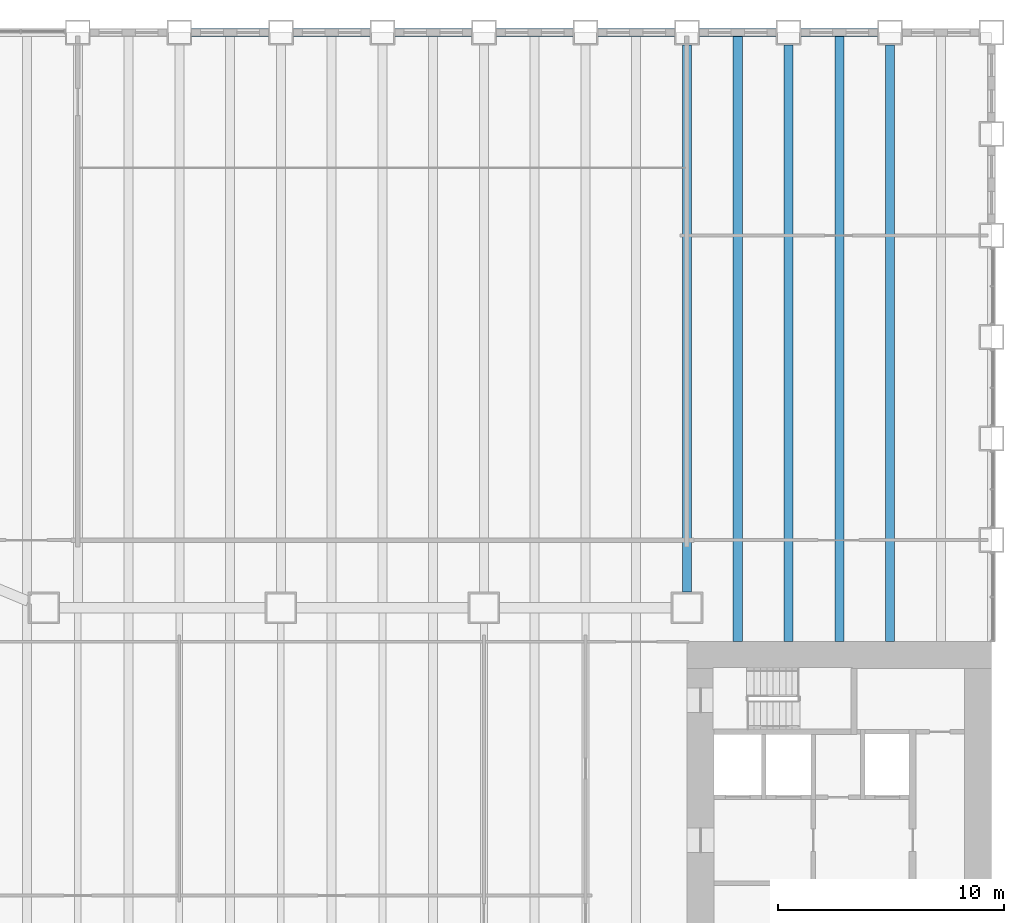
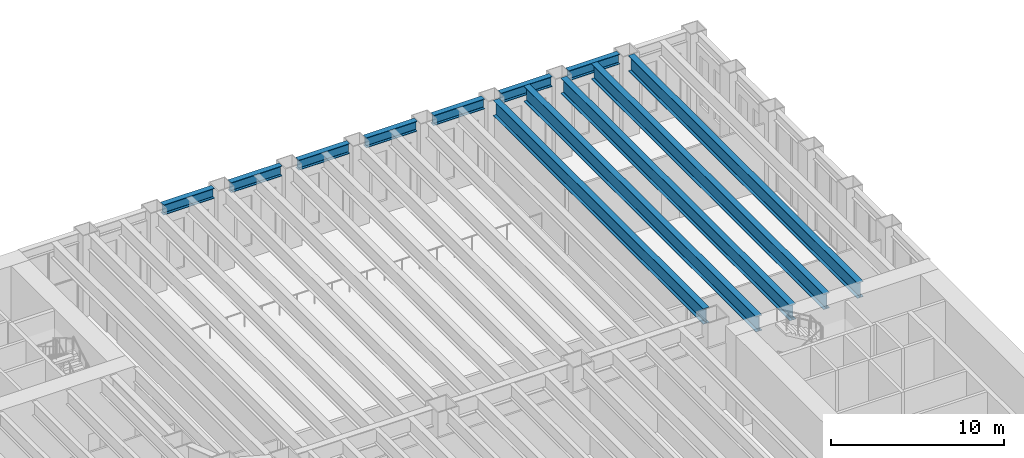
# One storey, part 3 of 19: 12 beams.
"""IFC4 building model written with IfcOpenShell, lengths in metres."""

from ifc_helpers import new_model, si_unit, direction, frame, origin, origin_2d, place, context, subcontext, project, spatial, i_section, extrude, material, material_profile, profile_set, type_object, element, save


model = new_model("IFC4")

# Units and contexts
model_context = context("Model", 3, precision=1e-05, world=origin(), true_north=direction((0.0, 1.0)))
body_context = subcontext(model_context, "Body", "Model", "MODEL_VIEW")
ifc_project = project(units=[si_unit("LENGTHUNIT", "METRE"), si_unit("AREAUNIT", "SQUARE_METRE"), si_unit("VOLUMEUNIT", "CUBIC_METRE"), si_unit("PLANEANGLEUNIT", "RADIAN"), si_unit("MASSUNIT", "GRAM", prefix="KILO")], contexts=[model_context])

# Site, building, storey
site_placement = place(None, origin())
site = spatial("IfcSite", under=ifc_project, at=site_placement, CompositionType="ELEMENT")
building_placement = place(site_placement, origin())
building = spatial("IfcBuilding", under=site, at=building_placement, Name="Sennacour Bend Tower", CompositionType="ELEMENT")
storey_placement = place(building_placement, frame((0.0, 0.0, 8.0)))
storey = spatial("IfcBuildingStorey", under=building, at=storey_placement, Name="L01", CompositionType="ELEMENT", Elevation=8.0)

# Beams
ifc_material = material(Name="Steel ASTM A992 Grade 50", Category="steel")
ifc_material_profile_1 = material_profile(ifc_material, i_section(OverallWidth=0.40087890625, OverallDepth=1.090087890625, WebThickness=0.01806640625, FlangeThickness=0.031005859375, FilletRadius=0.02001953125, at=origin_2d()), Name="Steel ASTM A992 Grade 50", Category="steel")
ifc_profile_set_1 = profile_set([ifc_material_profile_1], Name="Steel ASTM A992 Grade 50")
beam_type_1 = type_object("IfcBeamType", Name="Notch floor beam W1100X343", PredefinedType="BEAM", material=ifc_profile_set_1)
beam_1_placement = place(storey_placement, frame((54.0, 24.699951171875, 5.205078125), z_axis=(0.0, 1.0, 0.0), x_axis=(-1.0, 0.0, 0.0)))
element("IfcBeam", 1, at=beam_1_placement, inside=storey, type_object=beam_type_1, Name="Floor beam FBM4 L02-048", PredefinedType="BEAM", context=body_context, shape_type="SweptSolid", body=[
    extrude(i_section(OverallWidth=0.40087890625, OverallDepth=1.090087890625, WebThickness=0.01806640625, FlangeThickness=0.031005859375, FilletRadius=0.02001953125, at=origin_2d()), origin(), (0.0, 0.0, 1.0), 24.25),
])
beam_2_placement = place(storey_placement, frame((56.25, 22.5, 5.205078125), z_axis=(0.0, 1.0, 0.0), x_axis=(-1.0, 0.0, 0.0)))
element("IfcBeam", 2, at=beam_2_placement, inside=storey, type_object=beam_type_1, Name="Floor beam FBM4 L02-049", PredefinedType="BEAM", context=body_context, shape_type="SweptSolid", body=[
    extrude(i_section(OverallWidth=0.40087890625, OverallDepth=1.090087890625, WebThickness=0.01806640625, FlangeThickness=0.031005859375, FilletRadius=0.02001953125, at=origin_2d()), origin(), (0.0, 0.0, 1.0), 26.822021484375),
])
beam_3_placement = place(storey_placement, frame((58.5, 22.5, 5.205078125), z_axis=(0.0, 1.0, 0.0), x_axis=(-1.0, 0.0, 0.0)))
element("IfcBeam", 3, at=beam_3_placement, inside=storey, type_object=beam_type_1, Name="Floor beam FBM4 L02-050", PredefinedType="BEAM", context=body_context, shape_type="SweptSolid", body=[
    extrude(i_section(OverallWidth=0.40087890625, OverallDepth=1.090087890625, WebThickness=0.01806640625, FlangeThickness=0.031005859375, FilletRadius=0.02001953125, at=origin_2d()), origin(), (0.0, 0.0, 1.0), 26.449951171875),
])
beam_4_placement = place(storey_placement, frame((60.75, 22.5, 5.205078125), z_axis=(0.0, 1.0, 0.0), x_axis=(-1.0, 0.0, 0.0)))
element("IfcBeam", 4, at=beam_4_placement, inside=storey, type_object=beam_type_1, Name="Floor beam FBM4 L02-051", PredefinedType="BEAM", context=body_context, shape_type="SweptSolid", body=[
    extrude(i_section(OverallWidth=0.40087890625, OverallDepth=1.090087890625, WebThickness=0.01806640625, FlangeThickness=0.031005859375, FilletRadius=0.02001953125, at=origin_2d()), origin(), (0.0, 0.0, 1.0), 26.822021484375),
])
beam_5_placement = place(storey_placement, frame((63.0, 22.5, 5.205078125), z_axis=(0.0, 1.0, 0.0), x_axis=(-1.0, 0.0, 0.0)))
element("IfcBeam", 5, at=beam_5_placement, inside=storey, type_object=beam_type_1, Name="Floor beam FBM4 L02-052", PredefinedType="BEAM", context=body_context, shape_type="SweptSolid", body=[
    extrude(i_section(OverallWidth=0.40087890625, OverallDepth=1.090087890625, WebThickness=0.01806640625, FlangeThickness=0.031005859375, FilletRadius=0.02001953125, at=origin_2d()), origin(), (0.0, 0.0, 1.0), 26.449951171875),
])
ifc_material_profile_2 = material_profile(ifc_material, i_section(OverallWidth=0.35595703125, OverallDepth=0.714111328125, WebThickness=0.01904296875, FlangeThickness=0.033935546875, FilletRadius=0.02001953125, at=origin_2d()), Name="Steel ASTM A992 Grade 50", Category="steel")
ifc_profile_set_2 = profile_set([ifc_material_profile_2], Name="Steel ASTM A992 Grade 50")
beam_type_2 = type_object("IfcBeamType", Name="Spandrel beam W690X289", PredefinedType="SPANDREL", material=ifc_profile_set_2)
for number, where, z_axis, x_axis, name in (
    (6, (62.449951171875, 49.5, 5.39306640625), (-1.0, 0.0, 0.0), (0.0, -1.0, 0.0), "Spandrel beam SP1 L02-007"),
    (7, (57.949951171875, 49.5, 5.39306640625), (-1.0, 0.0, 0.0), (0.0, -1.0, 0.0), "Spandrel beam SP1 L02-008"),
    (8, (53.449951171875, 49.5, 5.39306640625), (-1.0, 0.0, 0.0), (0.0, -1.0, 0.0), "Spandrel beam SP1 L02-009"),
    (9, (48.949951171875, 49.5, 5.39306640625), (-1.0, 0.0, 0.0), (0.0, -1.0, 0.0), "Spandrel beam SP1 L02-010"),
    (10, (44.449951171875, 49.5, 5.39306640625), (-1.0, 0.0, 0.0), (0.0, -1.0, 0.0), "Spandrel beam SP1 L02-011"),
    (11, (39.949951171875, 49.5, 5.39306640625), (-1.0, 0.0, 0.0), (0.0, -1.0, 0.0), "Spandrel beam SP1 L02-012"),
    (12, (35.449951171875, 49.5, 5.39306640625), (-1.0, 0.0, 0.0), (0.0, -1.0, 0.0), "Spandrel beam SP1 L02-013"),
):
    element("IfcBeam", number, at=place(storey_placement, frame(where, z_axis=z_axis, x_axis=x_axis)), inside=storey, type_object=beam_type_2, Name=name, PredefinedType="SPANDREL", context=body_context, shape_type="SweptSolid", body=[
        extrude(i_section(OverallWidth=0.35595703125, OverallDepth=0.714111328125, WebThickness=0.01904296875, FlangeThickness=0.033935546875, FilletRadius=0.02001953125, at=origin_2d()), origin(), (0.0, 0.0, 1.0), 3.39990234375),
    ])

save(model, "model.ifc")
